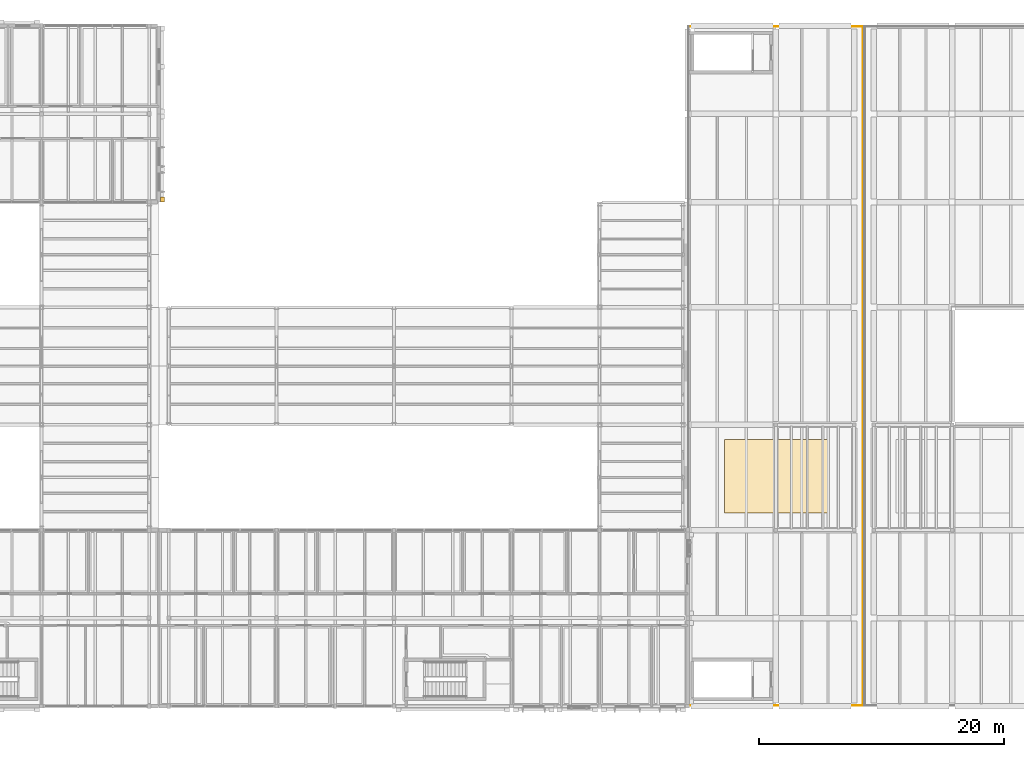
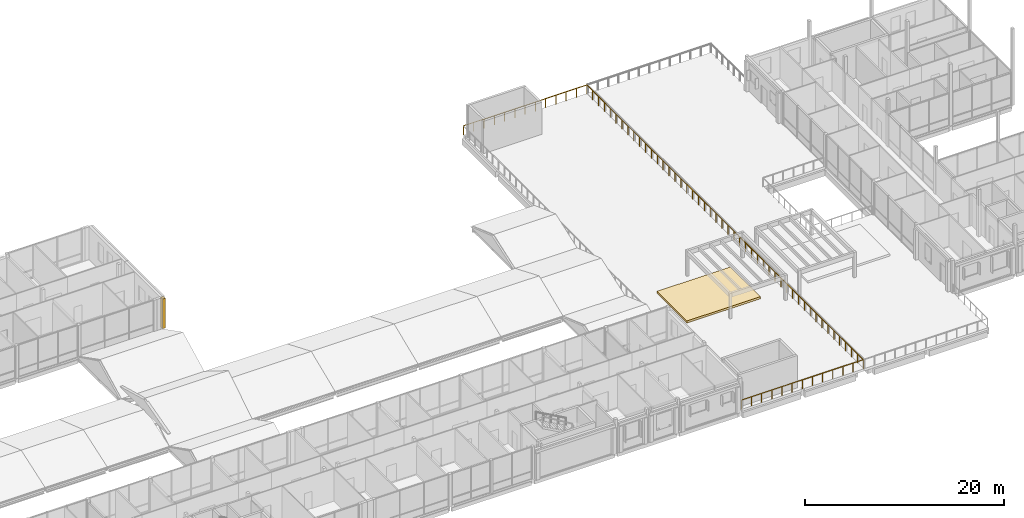
# One storey, part 111 of 115: 2 coverings, 1 railing.
"""IFC4 building model written with IfcOpenShell, lengths in metres."""

from ifc_helpers import new_model, si_unit, direction, frame, origin, origin_2d, place, context, subcontext, project, spatial, polyline, rectangle, circle, outline, extrude, material, layer, layer_set, type_object, element, save


model = new_model("IFC4")

# Units and contexts
model_context = context("Model", 3, precision=1e-05, world=origin(), true_north=direction((0.0, 1.0)))
body_context = subcontext(model_context, "Body", "Model", "MODEL_VIEW")
ifc_project = project(units=[si_unit("LENGTHUNIT", "METRE"), si_unit("AREAUNIT", "SQUARE_METRE"), si_unit("VOLUMEUNIT", "CUBIC_METRE"), si_unit("PLANEANGLEUNIT", "RADIAN"), si_unit("MASSUNIT", "GRAM", prefix="KILO")], contexts=[model_context])

# Site, building, storey
site_placement = place(None, origin())
site = spatial("IfcSite", under=ifc_project, at=site_placement, CompositionType="ELEMENT")
building_placement = place(site_placement, origin())
building = spatial("IfcBuilding", under=site, at=building_placement, Name="Hawrajan Terrace Health Centre", CompositionType="ELEMENT")
storey_placement = place(building_placement, frame((0.0, 0.0, 9.0)))
storey = spatial("IfcBuildingStorey", under=building, at=storey_placement, Name="L02", CompositionType="ELEMENT", Elevation=9.0)

# Coverings
ifc_material_1 = material(Name="Precast concrete C40/50", Category="concrete")
ifc_layer_1 = layer(ifc_material_1, 0.340087890625)
ifc_layer_set_1 = layer_set([ifc_layer_1], Name="Precast concrete C40/50")
covering_type_1 = type_object("IfcCoveringType", Name="ArtDecoStonePilaster", PredefinedType="CLADDING", material=ifc_layer_set_1)
covering_1_placement = place(storey_placement, frame((72.10009765625, 45.6201171875, 0.0), z_axis=(0.0, 0.0, 1.0), x_axis=(0.0, 1.0, 0.0)))
element("IfcCovering", 1, at=covering_1_placement, inside=storey, type_object=covering_type_1, Name="Art Deco fluted limestone pilaster FPIL-L02-0264", PredefinedType="CLADDING", context=body_context, shape_type="SweptSolid", body=[
    extrude(rectangle(XDim=0.39990234375, YDim=0.340087890625, at=origin_2d()), origin(), (0.0, 0.0, 1.0), 3.659912109375),
])
ifc_material_2 = material(Name="Extensive planted terrace drainage and engineered soil")
ifc_layer_2 = layer(ifc_material_2, 0.260009765625)
ifc_layer_set_2 = layer_set([ifc_layer_2], Name="Extensive planted terrace drainage and engineered soil")
covering_type_2 = type_object("IfcCoveringType", Name="PlantedGarden_Substrate", PredefinedType="ROOFING", material=ifc_layer_set_2)
covering_2_placement = place(storey_placement, origin())
element("IfcCovering", 2, at=covering_2_placement, inside=storey, type_object=covering_type_2, Name="Planted therapy bed C-1", PredefinedType="ROOFING", context=body_context, shape_type="SweptSolid", body=[
    extrude(outline(polyline([(118.0, 20.0), (126.5, 20.0), (126.5, 26.0), (118.0, 26.0), (118.0, 20.0)])), origin(), (0.0, 0.0, 1.0), 0.260009765625),
])

# Railing
ifc_material_3 = material(Name="Anodized bronze post and balustrade guard")
railing_type = type_object("IfcRailingType", Name="TerraceGuard_1120", PredefinedType="GUARDRAIL", material=ifc_material_3)
railing_placement = place(storey_placement, frame((115.06005859375, 59.739990234375, 0.0)))
element("IfcRailing", 3, at=railing_placement, inside=storey, type_object=railing_type, Name="Terrace perimeter guard L02-002", PredefinedType="GUARDRAIL", context=body_context, shape_type="SweptSolid", body=[
    extrude(circle(Radius=0.02392578125, at=origin_2d()), frame((0.02880859375, 0.0, 1.09619140625), z_axis=(1.0, 0.0, 0.0), x_axis=(0.0, 1.0, 0.0)), (0.0, 0.0, 1.0), 14.21728515625),
    extrude(circle(Radius=0.02392578125, at=origin_2d()), frame((14.27490234375, -0.02880859375, 1.09619140625), z_axis=(0.0, -1.0, 0.0), x_axis=(1.0, 0.0, 0.0)), (0.0, 0.0, 1.0), 55.42236328125),
    extrude(circle(Radius=0.02392578125, at=origin_2d()), frame((14.24609375, -55.47998046875, 1.09619140625), z_axis=(-1.0, 0.0, 0.0), x_axis=(0.0, -1.0, 0.0)), (0.0, 0.0, 1.0), 14.057373046875),
    extrude(circle(Radius=0.02099609375, at=origin_2d()), origin(), (0.0, 0.0, 1.0), 1.067138671875),
    extrude(circle(Radius=0.02099609375, at=origin_2d()), frame((1.189453125, 0.0, 0.0)), (0.0, 0.0, 1.0), 1.067138671875),
    extrude(circle(Radius=0.02099609375, at=origin_2d()), frame((2.379150390625, 0.0, 0.0)), (0.0, 0.0, 1.0), 1.067138671875),
    extrude(circle(Radius=0.02099609375, at=origin_2d()), frame((3.56884765625, 0.0, 0.0)), (0.0, 0.0, 1.0), 1.067138671875),
    extrude(circle(Radius=0.02099609375, at=origin_2d()), frame((4.75830078125, 0.0, 0.0)), (0.0, 0.0, 1.0), 1.067138671875),
    extrude(circle(Radius=0.02099609375, at=origin_2d()), frame((5.94775390625, 0.0, 0.0)), (0.0, 0.0, 1.0), 1.067138671875),
    extrude(circle(Radius=0.02099609375, at=origin_2d()), frame((7.137451171875, 0.0, 0.0)), (0.0, 0.0, 1.0), 1.067138671875),
    extrude(circle(Radius=0.02099609375, at=origin_2d()), frame((8.3271484375, 0.0, 0.0)), (0.0, 0.0, 1.0), 1.067138671875),
    extrude(circle(Radius=0.02099609375, at=origin_2d()), frame((9.5166015625, 0.0, 0.0)), (0.0, 0.0, 1.0), 1.067138671875),
    extrude(circle(Radius=0.02099609375, at=origin_2d()), frame((10.7060546875, 0.0, 0.0)), (0.0, 0.0, 1.0), 1.067138671875),
    extrude(circle(Radius=0.02099609375, at=origin_2d()), frame((11.895751953125, 0.0, 0.0)), (0.0, 0.0, 1.0), 1.067138671875),
    extrude(circle(Radius=0.02099609375, at=origin_2d()), frame((13.08544921875, 0.0, 0.0)), (0.0, 0.0, 1.0), 1.067138671875),
    extrude(circle(Radius=0.02099609375, at=origin_2d()), frame((14.27490234375, 0.0, 0.0)), (0.0, 0.0, 1.0), 1.067138671875),
    extrude(circle(Radius=0.02099609375, at=origin_2d()), frame((14.27490234375, -1.180419921875, 0.0)), (0.0, 0.0, 1.0), 1.067138671875),
    extrude(circle(Radius=0.02099609375, at=origin_2d()), frame((14.27490234375, -2.36083984375, 0.0)), (0.0, 0.0, 1.0), 1.067138671875),
    extrude(circle(Radius=0.02099609375, at=origin_2d()), frame((14.27490234375, -3.541259765625, 0.0)), (0.0, 0.0, 1.0), 1.067138671875),
    extrude(circle(Radius=0.02099609375, at=origin_2d()), frame((14.27490234375, -4.7216796875, 0.0)), (0.0, 0.0, 1.0), 1.067138671875),
    extrude(circle(Radius=0.02099609375, at=origin_2d()), frame((14.27490234375, -5.902099609375, 0.0)), (0.0, 0.0, 1.0), 1.067138671875),
    extrude(circle(Radius=0.02099609375, at=origin_2d()), frame((14.27490234375, -7.08251953125, 0.0)), (0.0, 0.0, 1.0), 1.067138671875),
    extrude(circle(Radius=0.02099609375, at=origin_2d()), frame((14.27490234375, -8.262939453125, 0.0)), (0.0, 0.0, 1.0), 1.067138671875),
    extrude(circle(Radius=0.02099609375, at=origin_2d()), frame((14.27490234375, -9.443359375, 0.0)), (0.0, 0.0, 1.0), 1.067138671875),
    extrude(circle(Radius=0.02099609375, at=origin_2d()), frame((14.27490234375, -10.623779296875, 0.0)), (0.0, 0.0, 1.0), 1.067138671875),
    extrude(circle(Radius=0.02099609375, at=origin_2d()), frame((14.27490234375, -11.80419921875, 0.0)), (0.0, 0.0, 1.0), 1.067138671875),
    extrude(circle(Radius=0.02099609375, at=origin_2d()), frame((14.27490234375, -12.984619140625, 0.0)), (0.0, 0.0, 1.0), 1.067138671875),
    extrude(circle(Radius=0.02099609375, at=origin_2d()), frame((14.27490234375, -14.1650390625, 0.0)), (0.0, 0.0, 1.0), 1.067138671875),
    extrude(circle(Radius=0.02099609375, at=origin_2d()), frame((14.27490234375, -15.345458984375, 0.0)), (0.0, 0.0, 1.0), 1.067138671875),
    extrude(circle(Radius=0.02099609375, at=origin_2d()), frame((14.27490234375, -16.52587890625, 0.0)), (0.0, 0.0, 1.0), 1.067138671875),
    extrude(circle(Radius=0.02099609375, at=origin_2d()), frame((14.27490234375, -17.706298828125, 0.0)), (0.0, 0.0, 1.0), 1.067138671875),
    extrude(circle(Radius=0.02099609375, at=origin_2d()), frame((14.27490234375, -18.88671875, 0.0)), (0.0, 0.0, 1.0), 1.067138671875),
    extrude(circle(Radius=0.02099609375, at=origin_2d()), frame((14.27490234375, -20.067138671875, 0.0)), (0.0, 0.0, 1.0), 1.067138671875),
    extrude(circle(Radius=0.02099609375, at=origin_2d()), frame((14.27490234375, -21.24755859375, 0.0)), (0.0, 0.0, 1.0), 1.067138671875),
    extrude(circle(Radius=0.02099609375, at=origin_2d()), frame((14.27490234375, -22.427978515625, 0.0)), (0.0, 0.0, 1.0), 1.067138671875),
    extrude(circle(Radius=0.02099609375, at=origin_2d()), frame((14.27490234375, -23.6083984375, 0.0)), (0.0, 0.0, 1.0), 1.067138671875),
    extrude(circle(Radius=0.02099609375, at=origin_2d()), frame((14.27490234375, -24.788818359375, 0.0)), (0.0, 0.0, 1.0), 1.067138671875),
    extrude(circle(Radius=0.02099609375, at=origin_2d()), frame((14.27490234375, -25.96923828125, 0.0)), (0.0, 0.0, 1.0), 1.067138671875),
    extrude(circle(Radius=0.02099609375, at=origin_2d()), frame((14.27490234375, -27.149658203125, 0.0)), (0.0, 0.0, 1.0), 1.067138671875),
    extrude(circle(Radius=0.02099609375, at=origin_2d()), frame((14.27490234375, -28.330322265625, 0.0)), (0.0, 0.0, 1.0), 1.067138671875),
    extrude(circle(Radius=0.02099609375, at=origin_2d()), frame((14.27490234375, -29.5107421875, 0.0)), (0.0, 0.0, 1.0), 1.067138671875),
    extrude(circle(Radius=0.02099609375, at=origin_2d()), frame((14.27490234375, -30.691162109375, 0.0)), (0.0, 0.0, 1.0), 1.067138671875),
    extrude(circle(Radius=0.02099609375, at=origin_2d()), frame((14.27490234375, -31.87158203125, 0.0)), (0.0, 0.0, 1.0), 1.067138671875),
    extrude(circle(Radius=0.02099609375, at=origin_2d()), frame((14.27490234375, -33.052001953125, 0.0)), (0.0, 0.0, 1.0), 1.067138671875),
    extrude(circle(Radius=0.02099609375, at=origin_2d()), frame((14.27490234375, -34.232421875, 0.0)), (0.0, 0.0, 1.0), 1.067138671875),
    extrude(circle(Radius=0.02099609375, at=origin_2d()), frame((14.27490234375, -35.412841796875, 0.0)), (0.0, 0.0, 1.0), 1.067138671875),
    extrude(circle(Radius=0.02099609375, at=origin_2d()), frame((14.27490234375, -36.59326171875, 0.0)), (0.0, 0.0, 1.0), 1.067138671875),
    extrude(circle(Radius=0.02099609375, at=origin_2d()), frame((14.27490234375, -37.773681640625, 0.0)), (0.0, 0.0, 1.0), 1.067138671875),
    extrude(circle(Radius=0.02099609375, at=origin_2d()), frame((14.27490234375, -38.9541015625, 0.0)), (0.0, 0.0, 1.0), 1.067138671875),
    extrude(circle(Radius=0.02099609375, at=origin_2d()), frame((14.27490234375, -40.134521484375, 0.0)), (0.0, 0.0, 1.0), 1.067138671875),
    extrude(circle(Radius=0.02099609375, at=origin_2d()), frame((14.27490234375, -41.31494140625, 0.0)), (0.0, 0.0, 1.0), 1.067138671875),
    extrude(circle(Radius=0.02099609375, at=origin_2d()), frame((14.27490234375, -42.495361328125, 0.0)), (0.0, 0.0, 1.0), 1.067138671875),
    extrude(circle(Radius=0.02099609375, at=origin_2d()), frame((14.27490234375, -43.67578125, 0.0)), (0.0, 0.0, 1.0), 1.067138671875),
    extrude(circle(Radius=0.02099609375, at=origin_2d()), frame((14.27490234375, -44.856201171875, 0.0)), (0.0, 0.0, 1.0), 1.067138671875),
    extrude(circle(Radius=0.02099609375, at=origin_2d()), frame((14.27490234375, -46.03662109375, 0.0)), (0.0, 0.0, 1.0), 1.067138671875),
    extrude(circle(Radius=0.02099609375, at=origin_2d()), frame((14.27490234375, -47.217041015625, 0.0)), (0.0, 0.0, 1.0), 1.067138671875),
    extrude(circle(Radius=0.02099609375, at=origin_2d()), frame((14.27490234375, -48.3974609375, 0.0)), (0.0, 0.0, 1.0), 1.067138671875),
    extrude(circle(Radius=0.02099609375, at=origin_2d()), frame((14.27490234375, -49.577880859375, 0.0)), (0.0, 0.0, 1.0), 1.067138671875),
    extrude(circle(Radius=0.02099609375, at=origin_2d()), frame((14.27490234375, -50.75830078125, 0.0)), (0.0, 0.0, 1.0), 1.067138671875),
    extrude(circle(Radius=0.02099609375, at=origin_2d()), frame((14.27490234375, -51.938720703125, 0.0)), (0.0, 0.0, 1.0), 1.067138671875),
    extrude(circle(Radius=0.02099609375, at=origin_2d()), frame((14.27490234375, -53.119140625, 0.0)), (0.0, 0.0, 1.0), 1.067138671875),
    extrude(circle(Radius=0.02099609375, at=origin_2d()), frame((14.27490234375, -54.299560546875, 0.0)), (0.0, 0.0, 1.0), 1.067138671875),
    extrude(circle(Radius=0.02099609375, at=origin_2d()), frame((14.27490234375, -55.47998046875, 0.0)), (0.0, 0.0, 1.0), 1.067138671875),
    extrude(circle(Radius=0.02099609375, at=origin_2d()), frame((13.0986328125, -55.47998046875, 0.0)), (0.0, 0.0, 1.0), 1.067138671875),
    extrude(circle(Radius=0.02099609375, at=origin_2d()), frame((11.92236328125, -55.47998046875, 0.0)), (0.0, 0.0, 1.0), 1.067138671875),
    extrude(circle(Radius=0.02099609375, at=origin_2d()), frame((10.74609375, -55.47998046875, 0.0)), (0.0, 0.0, 1.0), 1.067138671875),
    extrude(circle(Radius=0.02099609375, at=origin_2d()), frame((9.56982421875, -55.47998046875, 0.0)), (0.0, 0.0, 1.0), 1.067138671875),
    extrude(circle(Radius=0.02099609375, at=origin_2d()), frame((8.3935546875, -55.47998046875, 0.0)), (0.0, 0.0, 1.0), 1.067138671875),
    extrude(circle(Radius=0.02099609375, at=origin_2d()), frame((7.21728515625, -55.47998046875, 0.0)), (0.0, 0.0, 1.0), 1.067138671875),
    extrude(circle(Radius=0.02099609375, at=origin_2d()), frame((6.041259765625, -55.47998046875, 0.0)), (0.0, 0.0, 1.0), 1.067138671875),
    extrude(circle(Radius=0.02099609375, at=origin_2d()), frame((4.864990234375, -55.47998046875, 0.0)), (0.0, 0.0, 1.0), 1.067138671875),
    extrude(circle(Radius=0.02099609375, at=origin_2d()), frame((3.688720703125, -55.47998046875, 0.0)), (0.0, 0.0, 1.0), 1.067138671875),
    extrude(circle(Radius=0.02099609375, at=origin_2d()), frame((2.512451171875, -55.47998046875, 0.0)), (0.0, 0.0, 1.0), 1.067138671875),
    extrude(circle(Radius=0.02099609375, at=origin_2d()), frame((1.336181640625, -55.47998046875, 0.0)), (0.0, 0.0, 1.0), 1.067138671875),
    extrude(circle(Radius=0.02099609375, at=origin_2d()), frame((0.159912109375, -55.47998046875, 0.0)), (0.0, 0.0, 1.0), 1.067138671875),
])

save(model, "model.ifc")
